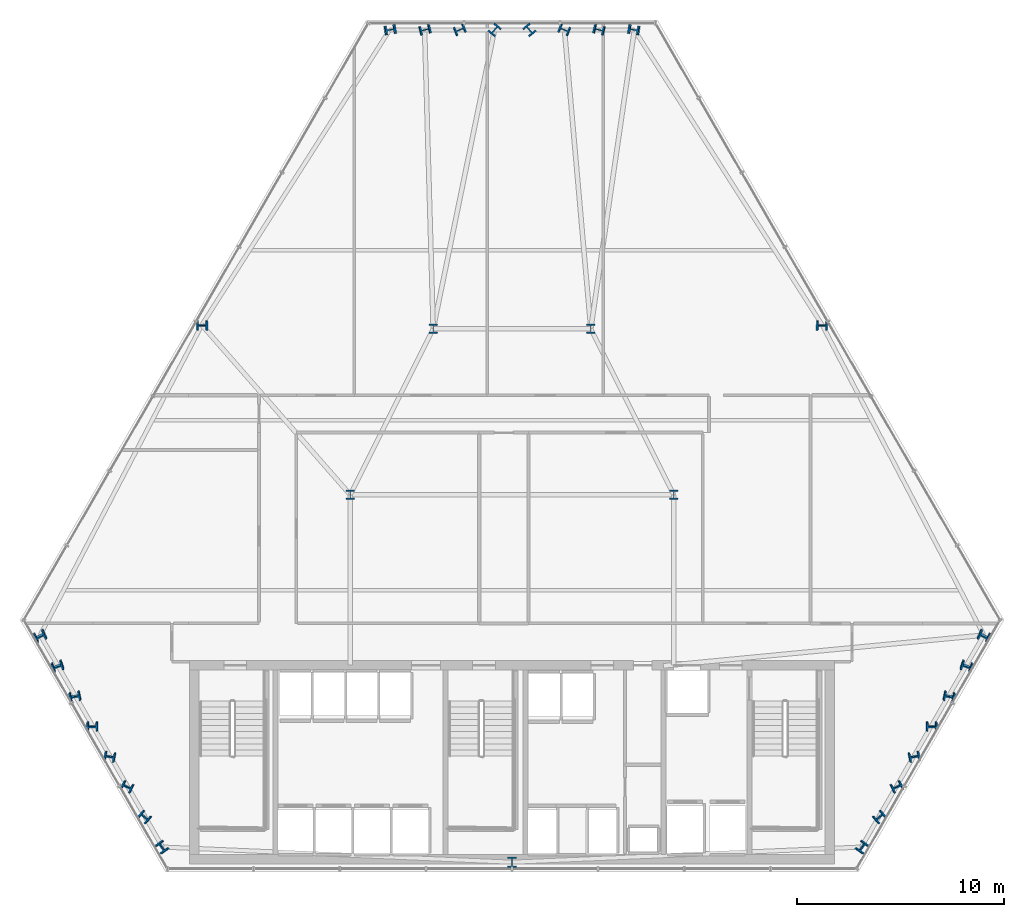
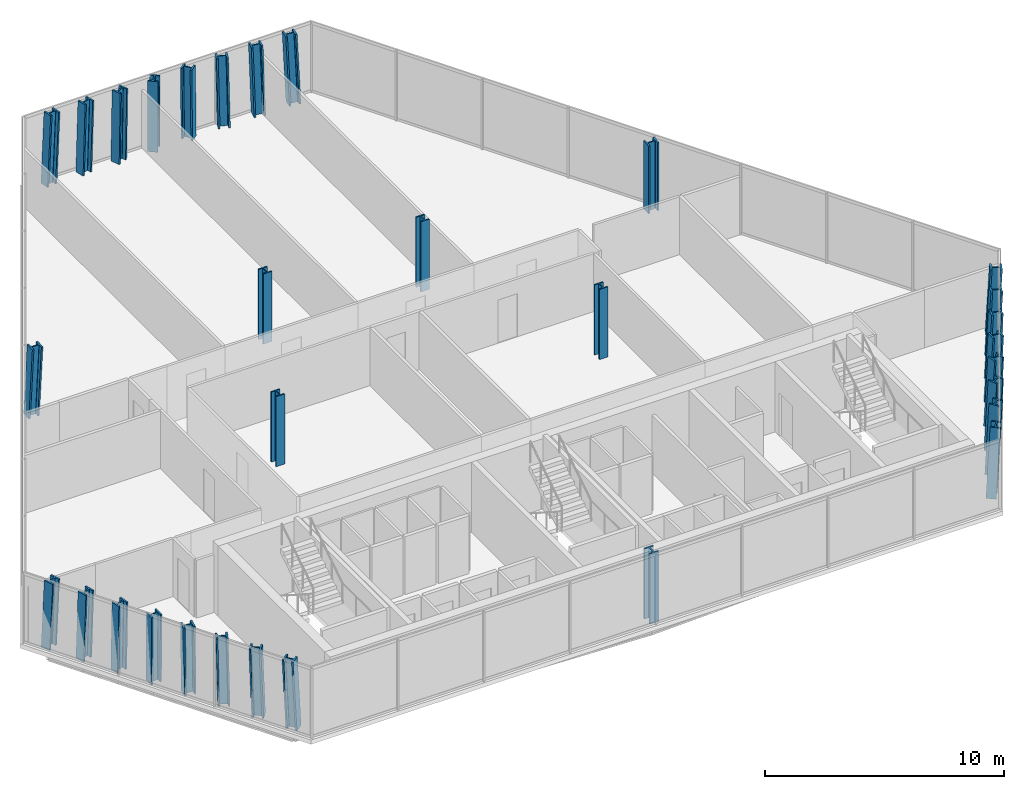
# One storey, part 1 of 32: 31 columns.
"""IFC4 building model written with IfcOpenShell, lengths in metres."""

from ifc_helpers import new_model, si_unit, direction, frame, origin, origin_2d, place, context, subcontext, project, spatial, i_section, extrude, material, material_profile, profile_set, type_object, element, save


model = new_model("IFC4")

# Units and contexts
model_context = context("Model", 3, precision=1e-05, world=origin(), true_north=direction((0.0, 1.0)))
body_context = subcontext(model_context, "Body", "Model", "MODEL_VIEW")
ifc_project = project(units=[si_unit("LENGTHUNIT", "METRE"), si_unit("AREAUNIT", "SQUARE_METRE"), si_unit("VOLUMEUNIT", "CUBIC_METRE"), si_unit("PLANEANGLEUNIT", "RADIAN"), si_unit("MASSUNIT", "GRAM", prefix="KILO")], contexts=[model_context])

# Site, building, storey
site_placement = place(None, origin())
site = spatial("IfcSite", under=ifc_project, at=site_placement, CompositionType="ELEMENT")
building_placement = place(site_placement, origin())
building = spatial("IfcBuilding", under=site, at=building_placement, Name="Ndaravel Arena Tower", CompositionType="ELEMENT")
storey_placement = place(building_placement, frame((0.0, 0.0, 96.800048828125)))
storey = spatial("IfcBuildingStorey", under=building, at=storey_placement, Name="L22", CompositionType="ELEMENT", Elevation=96.800048828125)

# Columns
ifc_material_1 = material(Name="Steel S460", Category="steel")
ifc_material_profile_1 = material_profile(ifc_material_1, i_section(OverallWidth=0.41845703125, OverallDepth=0.45556640625, WebThickness=0.0419921875, FlangeThickness=0.0673828125, FilletRadius=0.01513671875, at=origin_2d()), Name="UC 356x406x551")
ifc_profile_set_1 = profile_set([ifc_material_profile_1], Name="Steel S460")
column_type_1 = type_object("IfcColumnType", Name="COL-INT-UC551", PredefinedType="COLUMN", material=ifc_profile_set_1)
for number, where, z_axis, x_axis, name in (
    (1, (34.199951171875, 23.199951171875, 0.0), (0.0, 0.0, 1.0), (1.0, 0.0, 0.0), "L22 Interior Spine Column IC-01"),
    (2, (49.800048828125, 23.199951171875, 0.0), (0.0, 0.0, 1.0), (1.0, 0.0, 0.0), "L22 Interior Spine Column IC-02"),
    (3, (38.199951171875, 31.199951171875, 0.0), (0.0, 0.0, 1.0), (1.0, 0.0, 0.0), "L22 Interior Spine Column IC-03"),
    (4, (45.800048828125, 31.199951171875, 0.0), (0.0, 0.0, 1.0), (1.0, 0.0, 0.0), "L22 Interior Spine Column IC-04"),
):
    element("IfcColumn", number, at=place(storey_placement, frame(where, z_axis=z_axis, x_axis=x_axis)), inside=storey, type_object=column_type_1, Name=name, PredefinedType="COLUMN", context=body_context, shape_type="SweptSolid", body=[
        extrude(i_section(OverallWidth=0.41845703125, OverallDepth=0.45556640625, WebThickness=0.0419921875, FlangeThickness=0.0673828125, FilletRadius=0.01513671875, at=origin_2d()), origin(), (0.0, 0.0, 1.0), 3.579833984375),
    ])
ifc_material_2 = material(Name="Steel S460", Category="steel")
ifc_material_profile_2 = material_profile(ifc_material_2, i_section(OverallWidth=0.43701171875, OverallDepth=0.513916015625, WebThickness=0.060546875, FlangeThickness=0.076904296875, FilletRadius=0.014892578125, at=origin_2d()), Name="HD 400x818")
ifc_profile_set_2 = profile_set([ifc_material_profile_2], Name="Steel S460")
column_type_2 = type_object("IfcColumnType", Name="COL-TUBE-HD818", PredefinedType="COLUMN", material=ifc_profile_set_2)
column_1_placement = place(storey_placement, frame((42.0, 5.47998046875, 0.0), z_axis=(0.0, 0.0, 1.0), x_axis=(1.0, 0.0, 0.0)))
element("IfcColumn", 5, at=column_1_placement, inside=storey, type_object=column_type_2, Name="L22 Framed Tube Column TC-01", PredefinedType="COLUMN", context=body_context, shape_type="SweptSolid", body=[
    extrude(i_section(OverallWidth=0.43701171875, OverallDepth=0.513916015625, WebThickness=0.060546875, FlangeThickness=0.076904296875, FilletRadius=0.014892578125, at=origin_2d()), origin(), (0.0, 0.0, 1.0), 3.579833984375),
])
column_2_placement = place(storey_placement, frame((58.84912109375, 6.2099609375, 0.0), z_axis=(0.054069822092, -0.005652135055, 0.998521160371), x_axis=(-0.808074623925, 0.587195693912, 0.047080985746)))
element("IfcColumn", 6, at=column_2_placement, inside=storey, type_object=column_type_2, Name="L22 Framed Tube Column TC-02", PredefinedType="COLUMN", context=body_context, shape_type="SweptSolid", body=[
    extrude(i_section(OverallWidth=0.43701171875, OverallDepth=0.513916015625, WebThickness=0.060546875, FlangeThickness=0.076904296875, FilletRadius=0.014892578125, at=origin_2d()), origin(), (0.0, 0.0, 1.0), 3.585205078125),
])
column_3_placement = place(storey_placement, frame((59.692138671875, 7.670166015625, 0.0), z_axis=(0.047474003904, -0.017164202272, 0.998724991734), x_axis=(-0.643386474884, 0.764292189396, 0.043718338998)))
element("IfcColumn", 7, at=column_3_placement, inside=storey, type_object=column_type_2, Name="L22 Framed Tube Column TC-03", PredefinedType="COLUMN", context=body_context, shape_type="SweptSolid", body=[
    extrude(i_section(OverallWidth=0.43701171875, OverallDepth=0.513916015625, WebThickness=0.060546875, FlangeThickness=0.076904296875, FilletRadius=0.014892578125, at=origin_2d()), origin(), (0.0, 0.0, 1.0), 3.58447265625),
])
column_4_placement = place(storey_placement, frame((60.534912109375, 9.130126953125, 0.0), z_axis=(0.040936452002, -0.028539722777, 0.998754069389), x_axis=(-0.42358129763, 0.904826587054, 0.043217261123)))
element("IfcColumn", 8, at=column_4_placement, inside=storey, type_object=column_type_2, Name="L22 Framed Tube Column TC-04", PredefinedType="COLUMN", context=body_context, shape_type="SweptSolid", body=[
    extrude(i_section(OverallWidth=0.43701171875, OverallDepth=0.513916015625, WebThickness=0.060546875, FlangeThickness=0.076904296875, FilletRadius=0.014892578125, at=origin_2d()), origin(), (0.0, 0.0, 1.0), 3.584228515625),
])
column_5_placement = place(storey_placement, frame((61.3779296875, 10.59033203125, 0.0), z_axis=(0.034324388219, -0.040045119589, 0.998608143753), x_axis=(-0.183189108022, 0.982015997466, 0.045676377068)))
element("IfcColumn", 9, at=column_5_placement, inside=storey, type_object=column_type_2, Name="L22 Framed Tube Column TC-05", PredefinedType="COLUMN", context=body_context, shape_type="SweptSolid", body=[
    extrude(i_section(OverallWidth=0.43701171875, OverallDepth=0.513916015625, WebThickness=0.060546875, FlangeThickness=0.076904296875, FilletRadius=0.014892578125, at=origin_2d()), origin(), (0.0, 0.0, 1.0), 3.584716796875),
])
column_6_placement = place(storey_placement, frame((62.220947265625, 12.05029296875, 0.0), z_axis=(0.027709573034, -0.051402279216, 0.998293536618), x_axis=(0.029880740792, 0.998273324431, 0.050571840581)))
element("IfcColumn", 10, at=column_6_placement, inside=storey, type_object=column_type_2, Name="L22 Framed Tube Column TC-06", PredefinedType="COLUMN", context=body_context, shape_type="SweptSolid", body=[
    extrude(i_section(OverallWidth=0.43701171875, OverallDepth=0.513916015625, WebThickness=0.060546875, FlangeThickness=0.076904296875, FilletRadius=0.014892578125, at=origin_2d()), origin(), (0.0, 0.0, 1.0), 3.5859375),
])
column_7_placement = place(storey_placement, frame((63.06396484375, 13.510498046875, 0.0), z_axis=(0.021027083222, -0.062877103228, 0.99779974527), x_axis=(0.200130658839, 0.978085358309, 0.057417342801)))
element("IfcColumn", 11, at=column_7_placement, inside=storey, type_object=column_type_2, Name="L22 Framed Tube Column TC-07", PredefinedType="COLUMN", context=body_context, shape_type="SweptSolid", body=[
    extrude(i_section(OverallWidth=0.43701171875, OverallDepth=0.513916015625, WebThickness=0.060546875, FlangeThickness=0.076904296875, FilletRadius=0.014892578125, at=origin_2d()), origin(), (0.0, 0.0, 1.0), 3.587646484375),
])
column_8_placement = place(storey_placement, frame((63.906982421875, 14.970703125, 0.0), z_axis=(0.014416733271, -0.074259777036, 0.997134716734), x_axis=(0.326260743048, 0.943006977722, 0.065511583042)))
element("IfcColumn", 12, at=column_8_placement, inside=storey, type_object=column_type_2, Name="L22 Framed Tube Column TC-08", PredefinedType="COLUMN", context=body_context, shape_type="SweptSolid", body=[
    extrude(i_section(OverallWidth=0.43701171875, OverallDepth=0.513916015625, WebThickness=0.060546875, FlangeThickness=0.076904296875, FilletRadius=0.014892578125, at=origin_2d()), origin(), (0.0, 0.0, 1.0), 3.590087890625),
])
column_9_placement = place(storey_placement, frame((64.75, 16.4306640625, 0.0), z_axis=(0.007813879948, -0.085544998738, 0.996303666796), x_axis=(0.419441460984, 0.904729024715, 0.074392557737)))
element("IfcColumn", 13, at=column_9_placement, inside=storey, type_object=column_type_2, Name="L22 Framed Tube Column TC-09", PredefinedType="COLUMN", context=body_context, shape_type="SweptSolid", body=[
    extrude(i_section(OverallWidth=0.43701171875, OverallDepth=0.513916015625, WebThickness=0.060546875, FlangeThickness=0.076904296875, FilletRadius=0.014892578125, at=origin_2d()), origin(), (0.0, 0.0, 1.0), 3.593017578125),
])
column_10_placement = place(storey_placement, frame((56.957763671875, 31.387451171875, 0.0), z_axis=(-0.024182395063, -0.041757206124, 0.998835095251), x_axis=(0.000820020231, 0.999126112258, 0.041789225533)))
element("IfcColumn", 14, at=column_10_placement, inside=storey, type_object=column_type_2, Name="L22 Framed Tube Column TC-10", PredefinedType="COLUMN", context=body_context, shape_type="SweptSolid", body=[
    extrude(i_section(OverallWidth=0.43701171875, OverallDepth=0.513916015625, WebThickness=0.060546875, FlangeThickness=0.076904296875, FilletRadius=0.014892578125, at=origin_2d()), origin(), (0.0, 0.0, 1.0), 3.583984375),
])
column_11_placement = place(storey_placement, frame((47.90087890625, 45.614013671875, 0.0), z_axis=(-0.046188014354, 0.007970498052, 0.998900965307), x_axis=(-0.170052930364, -0.985434929802, 0.0)))
element("IfcColumn", 15, at=column_11_placement, inside=storey, type_object=column_type_2, Name="L22 Framed Tube Column TC-11", PredefinedType="COLUMN", context=body_context, shape_type="SweptSolid", body=[
    extrude(i_section(OverallWidth=0.43701171875, OverallDepth=0.513916015625, WebThickness=0.060546875, FlangeThickness=0.076904296875, FilletRadius=0.014892578125, at=origin_2d()), origin(), (0.0, 0.0, 1.0), 3.583740234375),
])
column_12_placement = place(storey_placement, frame((46.21484375, 45.614013671875, 0.0), z_axis=(-0.032989235729, 0.007974670621, 0.999423891527), x_axis=(-0.234967710036, -0.972003176559, 0.0)))
element("IfcColumn", 16, at=column_12_placement, inside=storey, type_object=column_type_2, Name="L22 Framed Tube Column TC-12", PredefinedType="COLUMN", context=body_context, shape_type="SweptSolid", body=[
    extrude(i_section(OverallWidth=0.43701171875, OverallDepth=0.513916015625, WebThickness=0.060546875, FlangeThickness=0.076904296875, FilletRadius=0.014892578125, at=origin_2d()), origin(), (0.0, 0.0, 1.0), 3.581787109375),
])
column_13_placement = place(storey_placement, frame((44.529052734375, 45.614013671875, 0.0), z_axis=(-0.019841332102, 0.007977442804, 0.999771314825), x_axis=(-0.373039247216, -0.927815563588, 0.0)))
element("IfcColumn", 17, at=column_13_placement, inside=storey, type_object=column_type_2, Name="L22 Framed Tube Column TC-13", PredefinedType="COLUMN", context=body_context, shape_type="SweptSolid", body=[
    extrude(i_section(OverallWidth=0.43701171875, OverallDepth=0.513916015625, WebThickness=0.060546875, FlangeThickness=0.076904296875, FilletRadius=0.014892578125, at=origin_2d()), origin(), (0.0, 0.0, 1.0), 3.58056640625),
])
for number, where, z_axis, x_axis, name in (
    (18, (42.843017578125, 45.614013671875, 0.0), (-0.006614934872, 0.007978838969, 0.99994628894), (-0.769836810093, -0.63824077418, 0.0), "L22 Framed Tube Column TC-14"),
    (19, (41.156982421875, 45.614013671875, 0.0), (0.006614934872, 0.007978838969, 0.99994628894), (-0.769836810093, 0.63824077418, 0.0), "L22 Framed Tube Column TC-15"),
):
    element("IfcColumn", number, at=place(storey_placement, frame(where, z_axis=z_axis, x_axis=x_axis)), inside=storey, type_object=column_type_2, Name=name, PredefinedType="COLUMN", context=body_context, shape_type="SweptSolid", body=[
        extrude(i_section(OverallWidth=0.43701171875, OverallDepth=0.513916015625, WebThickness=0.060546875, FlangeThickness=0.076904296875, FilletRadius=0.014892578125, at=origin_2d()), origin(), (0.0, 0.0, 1.0), 3.580078125),
    ])
column_14_placement = place(storey_placement, frame((39.470947265625, 45.614013671875, 0.0), z_axis=(0.019841332102, 0.007977442804, 0.999771314825), x_axis=(-0.373039247216, 0.927815563588, 0.0)))
element("IfcColumn", 20, at=column_14_placement, inside=storey, type_object=column_type_2, Name="L22 Framed Tube Column TC-16", PredefinedType="COLUMN", context=body_context, shape_type="SweptSolid", body=[
    extrude(i_section(OverallWidth=0.43701171875, OverallDepth=0.513916015625, WebThickness=0.060546875, FlangeThickness=0.076904296875, FilletRadius=0.014892578125, at=origin_2d()), origin(), (0.0, 0.0, 1.0), 3.58056640625),
])
column_15_placement = place(storey_placement, frame((37.78515625, 45.614013671875, 0.0), z_axis=(0.032989235729, 0.007974670621, 0.999423891527), x_axis=(-0.234967710036, 0.972003176559, 0.0)))
element("IfcColumn", 21, at=column_15_placement, inside=storey, type_object=column_type_2, Name="L22 Framed Tube Column TC-17", PredefinedType="COLUMN", context=body_context, shape_type="SweptSolid", body=[
    extrude(i_section(OverallWidth=0.43701171875, OverallDepth=0.513916015625, WebThickness=0.060546875, FlangeThickness=0.076904296875, FilletRadius=0.014892578125, at=origin_2d()), origin(), (0.0, 0.0, 1.0), 3.581787109375),
])
column_16_placement = place(storey_placement, frame((36.09912109375, 45.614013671875, 0.0), z_axis=(0.046188014354, 0.007970498052, 0.998900965307), x_axis=(-0.170052930364, 0.985434929802, 0.0)))
element("IfcColumn", 22, at=column_16_placement, inside=storey, type_object=column_type_2, Name="L22 Framed Tube Column TC-18", PredefinedType="COLUMN", context=body_context, shape_type="SweptSolid", body=[
    extrude(i_section(OverallWidth=0.43701171875, OverallDepth=0.513916015625, WebThickness=0.060546875, FlangeThickness=0.076904296875, FilletRadius=0.014892578125, at=origin_2d()), origin(), (0.0, 0.0, 1.0), 3.583740234375),
])
column_17_placement = place(storey_placement, frame((27.04248046875, 31.387451171875, 0.0), z_axis=(0.024114315308, -0.041757274813, 0.99883673831), x_axis=(0.000400681263, 0.999127600361, 0.041759761158)))
element("IfcColumn", 23, at=column_17_placement, inside=storey, type_object=column_type_2, Name="L22 Framed Tube Column TC-19", PredefinedType="COLUMN", context=body_context, shape_type="SweptSolid", body=[
    extrude(i_section(OverallWidth=0.43701171875, OverallDepth=0.513916015625, WebThickness=0.060546875, FlangeThickness=0.076904296875, FilletRadius=0.014892578125, at=origin_2d()), origin(), (0.0, 0.0, 1.0), 3.583984375),
])
column_18_placement = place(storey_placement, frame((19.25, 16.4306640625, 0.0), z_axis=(-0.007813879948, -0.085544998738, 0.996303666796), x_axis=(-0.419441460984, 0.904729024715, 0.074392557737)))
element("IfcColumn", 24, at=column_18_placement, inside=storey, type_object=column_type_2, Name="L22 Framed Tube Column TC-20", PredefinedType="COLUMN", context=body_context, shape_type="SweptSolid", body=[
    extrude(i_section(OverallWidth=0.43701171875, OverallDepth=0.513916015625, WebThickness=0.060546875, FlangeThickness=0.076904296875, FilletRadius=0.014892578125, at=origin_2d()), origin(), (0.0, 0.0, 1.0), 3.593017578125),
])
column_19_placement = place(storey_placement, frame((20.093017578125, 14.970703125, 0.0), z_axis=(-0.014416733271, -0.074259777036, 0.997134716734), x_axis=(-0.326260743048, 0.943006977722, 0.065511583042)))
element("IfcColumn", 25, at=column_19_placement, inside=storey, type_object=column_type_2, Name="L22 Framed Tube Column TC-21", PredefinedType="COLUMN", context=body_context, shape_type="SweptSolid", body=[
    extrude(i_section(OverallWidth=0.43701171875, OverallDepth=0.513916015625, WebThickness=0.060546875, FlangeThickness=0.076904296875, FilletRadius=0.014892578125, at=origin_2d()), origin(), (0.0, 0.0, 1.0), 3.590087890625),
])
column_20_placement = place(storey_placement, frame((20.93603515625, 13.510498046875, 0.0), z_axis=(-0.021027083222, -0.062877103228, 0.99779974527), x_axis=(-0.200130658839, 0.978085358309, 0.057417342801)))
element("IfcColumn", 26, at=column_20_placement, inside=storey, type_object=column_type_2, Name="L22 Framed Tube Column TC-22", PredefinedType="COLUMN", context=body_context, shape_type="SweptSolid", body=[
    extrude(i_section(OverallWidth=0.43701171875, OverallDepth=0.513916015625, WebThickness=0.060546875, FlangeThickness=0.076904296875, FilletRadius=0.014892578125, at=origin_2d()), origin(), (0.0, 0.0, 1.0), 3.587646484375),
])
column_21_placement = place(storey_placement, frame((21.779052734375, 12.05029296875, 0.0), z_axis=(-0.027709573034, -0.051402279216, 0.998293536618), x_axis=(-0.029880740792, 0.998273324431, 0.050571840581)))
element("IfcColumn", 27, at=column_21_placement, inside=storey, type_object=column_type_2, Name="L22 Framed Tube Column TC-23", PredefinedType="COLUMN", context=body_context, shape_type="SweptSolid", body=[
    extrude(i_section(OverallWidth=0.43701171875, OverallDepth=0.513916015625, WebThickness=0.060546875, FlangeThickness=0.076904296875, FilletRadius=0.014892578125, at=origin_2d()), origin(), (0.0, 0.0, 1.0), 3.5859375),
])
column_22_placement = place(storey_placement, frame((22.6220703125, 10.59033203125, 0.0), z_axis=(-0.034324388219, -0.040045119589, 0.998608143753), x_axis=(0.183189108022, 0.982015997466, 0.045676377068)))
element("IfcColumn", 28, at=column_22_placement, inside=storey, type_object=column_type_2, Name="L22 Framed Tube Column TC-24", PredefinedType="COLUMN", context=body_context, shape_type="SweptSolid", body=[
    extrude(i_section(OverallWidth=0.43701171875, OverallDepth=0.513916015625, WebThickness=0.060546875, FlangeThickness=0.076904296875, FilletRadius=0.014892578125, at=origin_2d()), origin(), (0.0, 0.0, 1.0), 3.584716796875),
])
column_23_placement = place(storey_placement, frame((23.465087890625, 9.130126953125, 0.0), z_axis=(-0.040936452002, -0.028539722777, 0.998754069389), x_axis=(0.42358129763, 0.904826587054, 0.043217261123)))
element("IfcColumn", 29, at=column_23_placement, inside=storey, type_object=column_type_2, Name="L22 Framed Tube Column TC-25", PredefinedType="COLUMN", context=body_context, shape_type="SweptSolid", body=[
    extrude(i_section(OverallWidth=0.43701171875, OverallDepth=0.513916015625, WebThickness=0.060546875, FlangeThickness=0.076904296875, FilletRadius=0.014892578125, at=origin_2d()), origin(), (0.0, 0.0, 1.0), 3.584228515625),
])
column_24_placement = place(storey_placement, frame((24.307861328125, 7.670166015625, 0.0), z_axis=(-0.047474003904, -0.017164202272, 0.998724991734), x_axis=(0.643386474884, 0.764292189396, 0.043718338998)))
element("IfcColumn", 30, at=column_24_placement, inside=storey, type_object=column_type_2, Name="L22 Framed Tube Column TC-26", PredefinedType="COLUMN", context=body_context, shape_type="SweptSolid", body=[
    extrude(i_section(OverallWidth=0.43701171875, OverallDepth=0.513916015625, WebThickness=0.060546875, FlangeThickness=0.076904296875, FilletRadius=0.014892578125, at=origin_2d()), origin(), (0.0, 0.0, 1.0), 3.58447265625),
])
column_25_placement = place(storey_placement, frame((25.15087890625, 6.2099609375, 0.0), z_axis=(-0.054069822092, -0.005652135055, 0.998521160371), x_axis=(0.808074623925, 0.587195693912, 0.047080985746)))
element("IfcColumn", 31, at=column_25_placement, inside=storey, type_object=column_type_2, Name="L22 Framed Tube Column TC-27", PredefinedType="COLUMN", context=body_context, shape_type="SweptSolid", body=[
    extrude(i_section(OverallWidth=0.43701171875, OverallDepth=0.513916015625, WebThickness=0.060546875, FlangeThickness=0.076904296875, FilletRadius=0.014892578125, at=origin_2d()), origin(), (0.0, 0.0, 1.0), 3.585205078125),
])

save(model, "model.ifc")
